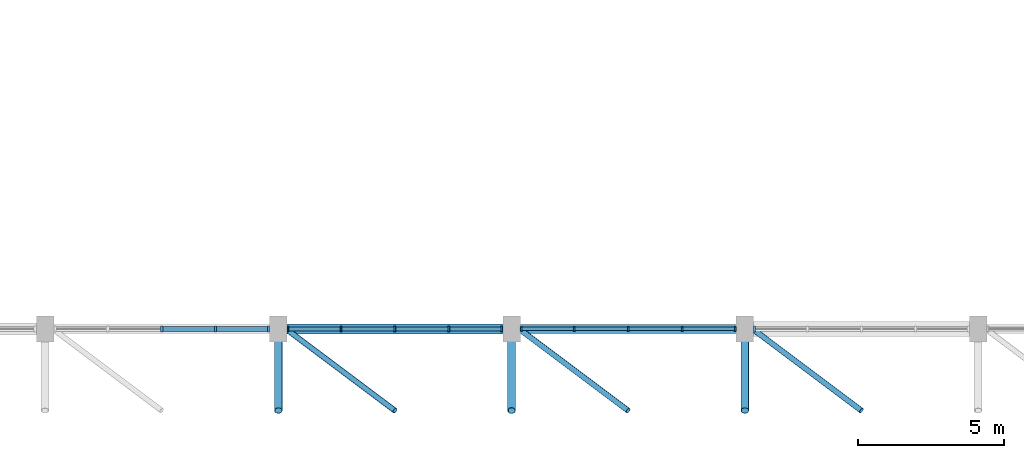
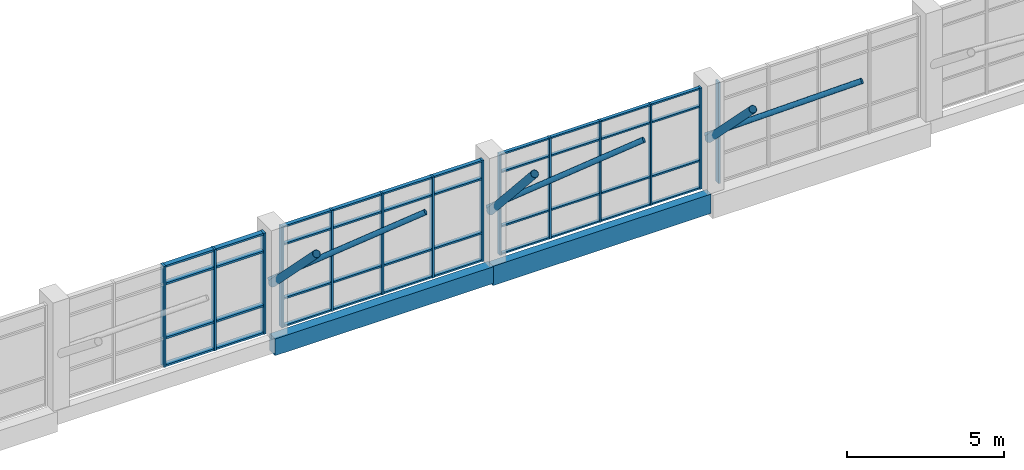
# One storey, part 40 of 84: 60 members, 2 beams, 4 elements without a shape of their own.
"""IFC4 building model written with IfcOpenShell, lengths in metres."""

from ifc_helpers import new_model, si_unit, direction, frame, origin, origin_2d, place, context, subcontext, project, spatial, rectangle, hollow_circle, extrude, material, material_profile, profile_set, type_object, element, aggregate, save


model = new_model("IFC4")

# Units and contexts
model_context = context("Model", 3, precision=1e-05, world=origin(), true_north=direction((0.0, 1.0)))
body_context = subcontext(model_context, "Body", "Model", "MODEL_VIEW")
ifc_project = project(units=[si_unit("LENGTHUNIT", "METRE"), si_unit("AREAUNIT", "SQUARE_METRE"), si_unit("VOLUMEUNIT", "CUBIC_METRE"), si_unit("PLANEANGLEUNIT", "RADIAN"), si_unit("MASSUNIT", "GRAM", prefix="KILO")], contexts=[model_context])

# Site, building, storey
site_placement = place(None, origin())
site = spatial("IfcSite", under=ifc_project, at=site_placement, CompositionType="ELEMENT")
building_placement = place(site_placement, origin())
building = spatial("IfcBuilding", under=site, at=building_placement, Name="Tenunan Teduh Sports Hall", CompositionType="ELEMENT")
storey_placement = place(building_placement, frame((0.0, 0.0, 10.800048828125)))
storey = spatial("IfcBuildingStorey", under=building, at=storey_placement, Name="L02", CompositionType="ELEMENT", Elevation=10.800048828125)

# Beams
ifc_material_1 = material(Name="Concrete C40/50", Category="concrete")
ifc_material_profile_1 = material_profile(ifc_material_1, rectangle(XDim=0.35009765625, YDim=0.64990234375, at=origin_2d()), Name="RCB 350x650")
ifc_profile_set_1 = profile_set([ifc_material_profile_1], Name="Concrete C40/50")
beam_type_1 = type_object("IfcBeamType", Name="BM-RC-350x650", PredefinedType="BEAM", material=ifc_profile_set_1)
beam_1_placement = place(storey_placement, frame((138.0, 14.0, -0.5849609375), z_axis=(1.0, 0.0, 0.0), x_axis=(0.0, 1.0, 0.0)))
element("IfcBeam", 1, at=beam_1_placement, inside=storey, type_object=beam_type_1, Name="BM-B-05-L02-1460", PredefinedType="BEAM", context=body_context, shape_type="SweptSolid", body=[
    extrude(rectangle(XDim=0.35009765625, YDim=0.64990234375, at=origin_2d()), origin(), (0.0, 0.0, 1.0), 8.0),
])
ifc_material_2 = material(Name="Concrete C40/50", Category="concrete")
ifc_material_profile_2 = material_profile(ifc_material_2, rectangle(XDim=0.300048828125, YDim=0.75, at=origin_2d()), Name="SPB 300x750")
ifc_profile_set_2 = profile_set([ifc_material_profile_2], Name="Concrete C40/50")
beam_type_2 = type_object("IfcBeamType", Name="BM-SP-300x750", PredefinedType="SPANDREL", material=ifc_profile_set_2)
beam_2_placement = place(storey_placement, frame((146.0, 14.0, -0.635009765625), z_axis=(1.0, 0.0, 0.0), x_axis=(0.0, 1.0, 0.0)))
element("IfcBeam", 2, at=beam_2_placement, inside=storey, type_object=beam_type_2, Name="BM-SP-01-L02-1461", PredefinedType="SPANDREL", context=body_context, shape_type="SweptSolid", body=[
    extrude(rectangle(XDim=0.300048828125, YDim=0.75, at=origin_2d()), origin(), (0.0, 0.0, 1.0), 8.0),
])

# Curtain wall, members
ifc_material_3 = material(Name="Anodised aluminium", Category="aluminium")
curtain_wall_type = type_object("IfcCurtainWallType", Name="CW-CLER-1", PredefinedType="NOTDEFINED", material=ifc_material_3)
curtain_wall_1_placement = place(storey_placement, origin())
curtain_wall_1 = element("IfcCurtainWall", 3, at=curtain_wall_1_placement, inside=storey, type_object=curtain_wall_type, Name="CW-CWM-150-L02-023", PredefinedType="NOTDEFINED")
ifc_material_4 = material(Name="Anodised aluminium", Category="aluminium")
ifc_material_profile_3 = material_profile(ifc_material_4, rectangle(XDim=0.06005859375, YDim=0.14990234375, at=origin_2d()), Name="CWM 60x150")
ifc_profile_set_3 = profile_set([ifc_material_profile_3], Name="Anodised aluminium")
member_type_1 = type_object("IfcMemberType", Name="CWM-150", PredefinedType="MULLION", material=ifc_profile_set_3)
member_1_placement = place(storey_placement, frame((146.330078125, 14.0, 0.0), z_axis=(0.0, 0.0, 1.0), x_axis=(1.0, 0.0, 0.0)))
member_1 = element("IfcMember", 4, at=member_1_placement, type_object=member_type_1, Name="CW-03 mullion 1", PredefinedType="MULLION", context=body_context, shape_type="SweptSolid", body=[
    extrude(rectangle(XDim=0.06005859375, YDim=0.14990234375, at=origin_2d()), origin(), (0.0, 0.0, 1.0), 3.919921875),
])
member_2_placement = place(storey_placement, frame((148.14990234375, 14.0, 0.0), z_axis=(0.0, 0.0, 1.0), x_axis=(1.0, 0.0, 0.0)))
member_2 = element("IfcMember", 5, at=member_2_placement, type_object=member_type_1, Name="CW-03 mullion 2", PredefinedType="MULLION", context=body_context, shape_type="SweptSolid", body=[
    extrude(rectangle(XDim=0.06005859375, YDim=0.14990234375, at=origin_2d()), origin(), (0.0, 0.0, 1.0), 3.919921875),
])
member_3_placement = place(storey_placement, frame((150.0, 14.0, 0.0), z_axis=(0.0, 0.0, 1.0), x_axis=(1.0, 0.0, 0.0)))
member_3 = element("IfcMember", 6, at=member_3_placement, type_object=member_type_1, Name="CW-03 mullion 3", PredefinedType="MULLION", context=body_context, shape_type="SweptSolid", body=[
    extrude(rectangle(XDim=0.06005859375, YDim=0.14990234375, at=origin_2d()), origin(), (0.0, 0.0, 1.0), 3.919921875),
])
member_4_placement = place(storey_placement, frame((151.85009765625, 14.0, 0.0), z_axis=(0.0, 0.0, 1.0), x_axis=(1.0, 0.0, 0.0)))
member_4 = element("IfcMember", 7, at=member_4_placement, type_object=member_type_1, Name="CW-03 mullion 4", PredefinedType="MULLION", context=body_context, shape_type="SweptSolid", body=[
    extrude(rectangle(XDim=0.06005859375, YDim=0.14990234375, at=origin_2d()), origin(), (0.0, 0.0, 1.0), 3.919921875),
])
member_5_placement = place(storey_placement, frame((153.669921875, 14.0, 0.0), z_axis=(0.0, 0.0, 1.0), x_axis=(1.0, 0.0, 0.0)))
member_5 = element("IfcMember", 8, at=member_5_placement, type_object=member_type_1, Name="CW-03 mullion 5", PredefinedType="MULLION", context=body_context, shape_type="SweptSolid", body=[
    extrude(rectangle(XDim=0.06005859375, YDim=0.14990234375, at=origin_2d()), origin(), (0.0, 0.0, 1.0), 3.919921875),
])

curtain_wall_2_placement = place(storey_placement, origin())
curtain_wall_2 = element("IfcCurtainWall", 9, at=curtain_wall_2_placement, inside=storey, type_object=curtain_wall_type, Name="CW-CWM-175-L02-022", PredefinedType="NOTDEFINED")
ifc_material_5 = material(Name="Anodised aluminium", Category="aluminium")
ifc_material_profile_4 = material_profile(ifc_material_5, rectangle(XDim=0.06494140625, YDim=0.175048828125, at=origin_2d()), Name="CWM 65x175")
ifc_profile_set_4 = profile_set([ifc_material_profile_4], Name="Anodised aluminium")
member_type_2 = type_object("IfcMemberType", Name="CWM-175", PredefinedType="MULLION", material=ifc_profile_set_4)
member_6_placement = place(storey_placement, frame((138.33251953125, 14.0, 0.0), z_axis=(0.0, 0.0, 1.0), x_axis=(1.0, 0.0, 0.0)))
member_6 = element("IfcMember", 10, at=member_6_placement, type_object=member_type_2, Name="CW-03 mullion 1", PredefinedType="MULLION", context=body_context, shape_type="SweptSolid", body=[
    extrude(rectangle(XDim=0.06494140625, YDim=0.175048828125, at=origin_2d()), origin(), (0.0, 0.0, 1.0), 3.919921875),
])
member_7_placement = place(storey_placement, frame((140.14990234375, 14.0, 0.0), z_axis=(0.0, 0.0, 1.0), x_axis=(1.0, 0.0, 0.0)))
member_7 = element("IfcMember", 11, at=member_7_placement, type_object=member_type_2, Name="CW-03 mullion 2", PredefinedType="MULLION", context=body_context, shape_type="SweptSolid", body=[
    extrude(rectangle(XDim=0.06494140625, YDim=0.175048828125, at=origin_2d()), origin(), (0.0, 0.0, 1.0), 3.919921875),
])
member_8_placement = place(storey_placement, frame((142.0, 14.0, 0.0), z_axis=(0.0, 0.0, 1.0), x_axis=(1.0, 0.0, 0.0)))
member_8 = element("IfcMember", 12, at=member_8_placement, type_object=member_type_2, Name="CW-03 mullion 3", PredefinedType="MULLION", context=body_context, shape_type="SweptSolid", body=[
    extrude(rectangle(XDim=0.06494140625, YDim=0.175048828125, at=origin_2d()), origin(), (0.0, 0.0, 1.0), 3.919921875),
])
member_9_placement = place(storey_placement, frame((143.85009765625, 14.0, 0.0), z_axis=(0.0, 0.0, 1.0), x_axis=(1.0, 0.0, 0.0)))
member_9 = element("IfcMember", 13, at=member_9_placement, type_object=member_type_2, Name="CW-03 mullion 4", PredefinedType="MULLION", context=body_context, shape_type="SweptSolid", body=[
    extrude(rectangle(XDim=0.06494140625, YDim=0.175048828125, at=origin_2d()), origin(), (0.0, 0.0, 1.0), 3.919921875),
])
member_10_placement = place(storey_placement, frame((145.66748046875, 14.0, 0.0), z_axis=(0.0, 0.0, 1.0), x_axis=(1.0, 0.0, 0.0)))
member_10 = element("IfcMember", 14, at=member_10_placement, type_object=member_type_2, Name="CW-03 mullion 5", PredefinedType="MULLION", context=body_context, shape_type="SweptSolid", body=[
    extrude(rectangle(XDim=0.06494140625, YDim=0.175048828125, at=origin_2d()), origin(), (0.0, 0.0, 1.0), 3.919921875),
])

# Curtain wall, member
curtain_wall_3_placement = place(storey_placement, origin())
curtain_wall_3 = element("IfcCurtainWall", 15, at=curtain_wall_3_placement, inside=storey, type_object=curtain_wall_type, Name="CW-CWM-200-L02-024", PredefinedType="NOTDEFINED")
ifc_material_6 = material(Name="Anodised aluminium", Category="aluminium")
ifc_material_profile_5 = material_profile(ifc_material_6, rectangle(XDim=0.070068359375, YDim=0.199951171875, at=origin_2d()), Name="CWM 70x200")
ifc_profile_set_5 = profile_set([ifc_material_profile_5], Name="Anodised aluminium")
member_type_3 = type_object("IfcMemberType", Name="CWM-200", PredefinedType="MULLION", material=ifc_profile_set_5)
member_11_placement = place(storey_placement, frame((154.3349609375, 14.0, 0.0), z_axis=(0.0, 0.0, 1.0), x_axis=(1.0, 0.0, 0.0)))
member_11 = element("IfcMember", 16, at=member_11_placement, type_object=member_type_3, Name="CW-03 mullion 1", PredefinedType="MULLION", context=body_context, shape_type="SweptSolid", body=[
    extrude(rectangle(XDim=0.070068359375, YDim=0.199951171875, at=origin_2d()), origin(), (0.0, 0.0, 1.0), 3.919921875),
])
aggregate(curtain_wall_3, [member_11])

# Curtain wall, members
curtain_wall_4_placement = place(storey_placement, origin())
curtain_wall_4 = element("IfcCurtainWall", 17, at=curtain_wall_4_placement, inside=storey, type_object=curtain_wall_type, Name="CW-CWM-220-L02-021", PredefinedType="NOTDEFINED")
ifc_material_7 = material(Name="Anodised aluminium", Category="aluminium")
ifc_material_profile_6 = material_profile(ifc_material_7, rectangle(XDim=0.074951171875, YDim=0.219970703125, at=origin_2d()), Name="CWM 75x220")
ifc_profile_set_6 = profile_set([ifc_material_profile_6], Name="Anodised aluminium")
member_type_4 = type_object("IfcMemberType", Name="CWM-220", PredefinedType="MULLION", material=ifc_profile_set_6)
member_12_placement = place(storey_placement, frame((134.0, 14.0, 0.0), z_axis=(0.0, 0.0, 1.0), x_axis=(1.0, 0.0, 0.0)))
member_12 = element("IfcMember", 18, at=member_12_placement, type_object=member_type_4, Name="CW-03 mullion 3", PredefinedType="MULLION", context=body_context, shape_type="SweptSolid", body=[
    extrude(rectangle(XDim=0.074951171875, YDim=0.219970703125, at=origin_2d()), origin(), (0.0, 0.0, 1.0), 3.919921875),
])
member_13_placement = place(storey_placement, frame((135.85009765625, 14.0, 0.0), z_axis=(0.0, 0.0, 1.0), x_axis=(1.0, 0.0, 0.0)))
member_13 = element("IfcMember", 19, at=member_13_placement, type_object=member_type_4, Name="CW-03 mullion 4", PredefinedType="MULLION", context=body_context, shape_type="SweptSolid", body=[
    extrude(rectangle(XDim=0.074951171875, YDim=0.219970703125, at=origin_2d()), origin(), (0.0, 0.0, 1.0), 3.919921875),
])
member_14_placement = place(storey_placement, frame((137.66259765625, 14.0, 0.0), z_axis=(0.0, 0.0, 1.0), x_axis=(1.0, 0.0, 0.0)))
member_14 = element("IfcMember", 20, at=member_14_placement, type_object=member_type_4, Name="CW-03 mullion 5", PredefinedType="MULLION", context=body_context, shape_type="SweptSolid", body=[
    extrude(rectangle(XDim=0.074951171875, YDim=0.219970703125, at=origin_2d()), origin(), (0.0, 0.0, 1.0), 3.919921875),
])

# Member
ifc_material_8 = material(Name="Anodised aluminium", Category="aluminium")
ifc_material_profile_7 = material_profile(ifc_material_8, rectangle(XDim=0.06005859375, YDim=0.1201171875, at=origin_2d()), Name="CWT 60x120")
ifc_profile_set_7 = profile_set([ifc_material_profile_7], Name="Anodised aluminium")
member_type_5 = type_object("IfcMemberType", Name="CWT-125", PredefinedType="USERDEFINED", material=ifc_profile_set_7)
member_15_placement = place(storey_placement, frame((146.360107421875, 14.0, 0.030029296875), z_axis=(1.0, 0.0, 0.0), x_axis=(0.0, 0.0, 1.0)))
member_15 = element("IfcMember", 21, at=member_15_placement, type_object=member_type_5, Name="CW-03 transom 1.1", ObjectType="TRANSOM", PredefinedType="USERDEFINED", context=body_context, shape_type="SweptSolid", body=[
    extrude(rectangle(XDim=0.06005859375, YDim=0.1201171875, at=origin_2d()), origin(), (0.0, 0.0, 1.0), 1.760009765625),
])

member_16_placement = place(storey_placement, frame((146.360107421875, 14.0, 1.099853515625), z_axis=(1.0, 0.0, 0.0), x_axis=(0.0, 0.0, 1.0)))
member_16 = element("IfcMember", 22, at=member_16_placement, type_object=member_type_5, Name="CW-03 transom 1.2", ObjectType="TRANSOM", PredefinedType="USERDEFINED", context=body_context, shape_type="SweptSolid", body=[
    extrude(rectangle(XDim=0.06005859375, YDim=0.1201171875, at=origin_2d()), origin(), (0.0, 0.0, 1.0), 1.760009765625),
])

member_17_placement = place(storey_placement, frame((146.360107421875, 14.0, 3.199951171875), z_axis=(1.0, 0.0, 0.0), x_axis=(0.0, 0.0, 1.0)))
member_17 = element("IfcMember", 23, at=member_17_placement, type_object=member_type_5, Name="CW-03 transom 1.3", ObjectType="TRANSOM", PredefinedType="USERDEFINED", context=body_context, shape_type="SweptSolid", body=[
    extrude(rectangle(XDim=0.06005859375, YDim=0.1201171875, at=origin_2d()), origin(), (0.0, 0.0, 1.0), 1.760009765625),
])

member_18_placement = place(storey_placement, frame((146.360107421875, 14.0, 3.889892578125), z_axis=(1.0, 0.0, 0.0), x_axis=(0.0, 0.0, 1.0)))
member_18 = element("IfcMember", 24, at=member_18_placement, type_object=member_type_5, Name="CW-03 transom 1.4", ObjectType="TRANSOM", PredefinedType="USERDEFINED", context=body_context, shape_type="SweptSolid", body=[
    extrude(rectangle(XDim=0.06005859375, YDim=0.1201171875, at=origin_2d()), origin(), (0.0, 0.0, 1.0), 1.760009765625),
])

member_19_placement = place(storey_placement, frame((148.179931640625, 14.0, 0.030029296875), z_axis=(1.0, 0.0, 0.0), x_axis=(0.0, 0.0, 1.0)))
member_19 = element("IfcMember", 25, at=member_19_placement, type_object=member_type_5, Name="CW-03 transom 2.1", ObjectType="TRANSOM", PredefinedType="USERDEFINED", context=body_context, shape_type="SweptSolid", body=[
    extrude(rectangle(XDim=0.06005859375, YDim=0.1201171875, at=origin_2d()), origin(), (0.0, 0.0, 1.0), 1.7900390625),
])

member_20_placement = place(storey_placement, frame((148.179931640625, 14.0, 1.099853515625), z_axis=(1.0, 0.0, 0.0), x_axis=(0.0, 0.0, 1.0)))
member_20 = element("IfcMember", 26, at=member_20_placement, type_object=member_type_5, Name="CW-03 transom 2.2", ObjectType="TRANSOM", PredefinedType="USERDEFINED", context=body_context, shape_type="SweptSolid", body=[
    extrude(rectangle(XDim=0.06005859375, YDim=0.1201171875, at=origin_2d()), origin(), (0.0, 0.0, 1.0), 1.7900390625),
])

member_21_placement = place(storey_placement, frame((148.179931640625, 14.0, 3.199951171875), z_axis=(1.0, 0.0, 0.0), x_axis=(0.0, 0.0, 1.0)))
member_21 = element("IfcMember", 27, at=member_21_placement, type_object=member_type_5, Name="CW-03 transom 2.3", ObjectType="TRANSOM", PredefinedType="USERDEFINED", context=body_context, shape_type="SweptSolid", body=[
    extrude(rectangle(XDim=0.06005859375, YDim=0.1201171875, at=origin_2d()), origin(), (0.0, 0.0, 1.0), 1.7900390625),
])

member_22_placement = place(storey_placement, frame((148.179931640625, 14.0, 3.889892578125), z_axis=(1.0, 0.0, 0.0), x_axis=(0.0, 0.0, 1.0)))
member_22 = element("IfcMember", 28, at=member_22_placement, type_object=member_type_5, Name="CW-03 transom 2.4", ObjectType="TRANSOM", PredefinedType="USERDEFINED", context=body_context, shape_type="SweptSolid", body=[
    extrude(rectangle(XDim=0.06005859375, YDim=0.1201171875, at=origin_2d()), origin(), (0.0, 0.0, 1.0), 1.7900390625),
])

member_23_placement = place(storey_placement, frame((150.030029296875, 14.0, 0.030029296875), z_axis=(1.0, 0.0, 0.0), x_axis=(0.0, 0.0, 1.0)))
member_23 = element("IfcMember", 29, at=member_23_placement, type_object=member_type_5, Name="CW-03 transom 3.1", ObjectType="TRANSOM", PredefinedType="USERDEFINED", context=body_context, shape_type="SweptSolid", body=[
    extrude(rectangle(XDim=0.06005859375, YDim=0.1201171875, at=origin_2d()), origin(), (0.0, 0.0, 1.0), 1.7900390625),
])

member_24_placement = place(storey_placement, frame((150.030029296875, 14.0, 1.099853515625), z_axis=(1.0, 0.0, 0.0), x_axis=(0.0, 0.0, 1.0)))
member_24 = element("IfcMember", 30, at=member_24_placement, type_object=member_type_5, Name="CW-03 transom 3.2", ObjectType="TRANSOM", PredefinedType="USERDEFINED", context=body_context, shape_type="SweptSolid", body=[
    extrude(rectangle(XDim=0.06005859375, YDim=0.1201171875, at=origin_2d()), origin(), (0.0, 0.0, 1.0), 1.7900390625),
])

member_25_placement = place(storey_placement, frame((150.030029296875, 14.0, 3.199951171875), z_axis=(1.0, 0.0, 0.0), x_axis=(0.0, 0.0, 1.0)))
member_25 = element("IfcMember", 31, at=member_25_placement, type_object=member_type_5, Name="CW-03 transom 3.3", ObjectType="TRANSOM", PredefinedType="USERDEFINED", context=body_context, shape_type="SweptSolid", body=[
    extrude(rectangle(XDim=0.06005859375, YDim=0.1201171875, at=origin_2d()), origin(), (0.0, 0.0, 1.0), 1.7900390625),
])

member_26_placement = place(storey_placement, frame((150.030029296875, 14.0, 3.889892578125), z_axis=(1.0, 0.0, 0.0), x_axis=(0.0, 0.0, 1.0)))
member_26 = element("IfcMember", 32, at=member_26_placement, type_object=member_type_5, Name="CW-03 transom 3.4", ObjectType="TRANSOM", PredefinedType="USERDEFINED", context=body_context, shape_type="SweptSolid", body=[
    extrude(rectangle(XDim=0.06005859375, YDim=0.1201171875, at=origin_2d()), origin(), (0.0, 0.0, 1.0), 1.7900390625),
])

member_27_placement = place(storey_placement, frame((151.8798828125, 14.0, 0.030029296875), z_axis=(1.0, 0.0, 0.0), x_axis=(0.0, 0.0, 1.0)))
member_27 = element("IfcMember", 33, at=member_27_placement, type_object=member_type_5, Name="CW-03 transom 4.1", ObjectType="TRANSOM", PredefinedType="USERDEFINED", context=body_context, shape_type="SweptSolid", body=[
    extrude(rectangle(XDim=0.06005859375, YDim=0.1201171875, at=origin_2d()), origin(), (0.0, 0.0, 1.0), 1.760009765625),
])

member_28_placement = place(storey_placement, frame((151.8798828125, 14.0, 1.099853515625), z_axis=(1.0, 0.0, 0.0), x_axis=(0.0, 0.0, 1.0)))
member_28 = element("IfcMember", 34, at=member_28_placement, type_object=member_type_5, Name="CW-03 transom 4.2", ObjectType="TRANSOM", PredefinedType="USERDEFINED", context=body_context, shape_type="SweptSolid", body=[
    extrude(rectangle(XDim=0.06005859375, YDim=0.1201171875, at=origin_2d()), origin(), (0.0, 0.0, 1.0), 1.760009765625),
])

member_29_placement = place(storey_placement, frame((151.8798828125, 14.0, 3.199951171875), z_axis=(1.0, 0.0, 0.0), x_axis=(0.0, 0.0, 1.0)))
member_29 = element("IfcMember", 35, at=member_29_placement, type_object=member_type_5, Name="CW-03 transom 4.3", ObjectType="TRANSOM", PredefinedType="USERDEFINED", context=body_context, shape_type="SweptSolid", body=[
    extrude(rectangle(XDim=0.06005859375, YDim=0.1201171875, at=origin_2d()), origin(), (0.0, 0.0, 1.0), 1.760009765625),
])

member_30_placement = place(storey_placement, frame((151.8798828125, 14.0, 3.889892578125), z_axis=(1.0, 0.0, 0.0), x_axis=(0.0, 0.0, 1.0)))
member_30 = element("IfcMember", 36, at=member_30_placement, type_object=member_type_5, Name="CW-03 transom 4.4", ObjectType="TRANSOM", PredefinedType="USERDEFINED", context=body_context, shape_type="SweptSolid", body=[
    extrude(rectangle(XDim=0.06005859375, YDim=0.1201171875, at=origin_2d()), origin(), (0.0, 0.0, 1.0), 1.760009765625),
])

aggregate(curtain_wall_1, [member_1, member_2, member_3, member_4, member_5, member_15, member_16, member_17, member_18, member_19, member_20, member_21, member_22, member_23, member_24, member_25, member_26, member_27, member_28, member_29, member_30])

ifc_material_9 = material(Name="Anodised aluminium", Category="aluminium")
ifc_material_profile_8 = material_profile(ifc_material_9, rectangle(XDim=0.06494140625, YDim=0.139892578125, at=origin_2d()), Name="CWT 65x140")
ifc_profile_set_8 = profile_set([ifc_material_profile_8], Name="Anodised aluminium")
member_type_6 = type_object("IfcMemberType", Name="CWT-150", PredefinedType="USERDEFINED", material=ifc_profile_set_8)
member_31_placement = place(storey_placement, frame((138.364990234375, 14.0, 0.032470703125), z_axis=(1.0, 0.0, 0.0), x_axis=(0.0, 0.0, 1.0)))
member_31 = element("IfcMember", 37, at=member_31_placement, type_object=member_type_6, Name="CW-03 transom 1.1", ObjectType="TRANSOM", PredefinedType="USERDEFINED", context=body_context, shape_type="SweptSolid", body=[
    extrude(rectangle(XDim=0.06494140625, YDim=0.139892578125, at=origin_2d()), origin(), (0.0, 0.0, 1.0), 1.75244140625),
])

member_32_placement = place(storey_placement, frame((138.364990234375, 14.0, 1.099853515625), z_axis=(1.0, 0.0, 0.0), x_axis=(0.0, 0.0, 1.0)))
member_32 = element("IfcMember", 38, at=member_32_placement, type_object=member_type_6, Name="CW-03 transom 1.2", ObjectType="TRANSOM", PredefinedType="USERDEFINED", context=body_context, shape_type="SweptSolid", body=[
    extrude(rectangle(XDim=0.06494140625, YDim=0.139892578125, at=origin_2d()), origin(), (0.0, 0.0, 1.0), 1.75244140625),
])

member_33_placement = place(storey_placement, frame((138.364990234375, 14.0, 3.199951171875), z_axis=(1.0, 0.0, 0.0), x_axis=(0.0, 0.0, 1.0)))
member_33 = element("IfcMember", 39, at=member_33_placement, type_object=member_type_6, Name="CW-03 transom 1.3", ObjectType="TRANSOM", PredefinedType="USERDEFINED", context=body_context, shape_type="SweptSolid", body=[
    extrude(rectangle(XDim=0.06494140625, YDim=0.139892578125, at=origin_2d()), origin(), (0.0, 0.0, 1.0), 1.75244140625),
])

member_34_placement = place(storey_placement, frame((138.364990234375, 14.0, 3.887451171875), z_axis=(1.0, 0.0, 0.0), x_axis=(0.0, 0.0, 1.0)))
member_34 = element("IfcMember", 40, at=member_34_placement, type_object=member_type_6, Name="CW-03 transom 1.4", ObjectType="TRANSOM", PredefinedType="USERDEFINED", context=body_context, shape_type="SweptSolid", body=[
    extrude(rectangle(XDim=0.06494140625, YDim=0.139892578125, at=origin_2d()), origin(), (0.0, 0.0, 1.0), 1.75244140625),
])

member_35_placement = place(storey_placement, frame((140.1826171875, 14.0, 0.032470703125), z_axis=(1.0, 0.0, 0.0), x_axis=(0.0, 0.0, 1.0)))
member_35 = element("IfcMember", 41, at=member_35_placement, type_object=member_type_6, Name="CW-03 transom 2.1", ObjectType="TRANSOM", PredefinedType="USERDEFINED", context=body_context, shape_type="SweptSolid", body=[
    extrude(rectangle(XDim=0.06494140625, YDim=0.139892578125, at=origin_2d()), origin(), (0.0, 0.0, 1.0), 1.784912109375),
])

member_36_placement = place(storey_placement, frame((140.1826171875, 14.0, 1.099853515625), z_axis=(1.0, 0.0, 0.0), x_axis=(0.0, 0.0, 1.0)))
member_36 = element("IfcMember", 42, at=member_36_placement, type_object=member_type_6, Name="CW-03 transom 2.2", ObjectType="TRANSOM", PredefinedType="USERDEFINED", context=body_context, shape_type="SweptSolid", body=[
    extrude(rectangle(XDim=0.06494140625, YDim=0.139892578125, at=origin_2d()), origin(), (0.0, 0.0, 1.0), 1.784912109375),
])

member_37_placement = place(storey_placement, frame((140.1826171875, 14.0, 3.199951171875), z_axis=(1.0, 0.0, 0.0), x_axis=(0.0, 0.0, 1.0)))
member_37 = element("IfcMember", 43, at=member_37_placement, type_object=member_type_6, Name="CW-03 transom 2.3", ObjectType="TRANSOM", PredefinedType="USERDEFINED", context=body_context, shape_type="SweptSolid", body=[
    extrude(rectangle(XDim=0.06494140625, YDim=0.139892578125, at=origin_2d()), origin(), (0.0, 0.0, 1.0), 1.784912109375),
])

member_38_placement = place(storey_placement, frame((140.1826171875, 14.0, 3.887451171875), z_axis=(1.0, 0.0, 0.0), x_axis=(0.0, 0.0, 1.0)))
member_38 = element("IfcMember", 44, at=member_38_placement, type_object=member_type_6, Name="CW-03 transom 2.4", ObjectType="TRANSOM", PredefinedType="USERDEFINED", context=body_context, shape_type="SweptSolid", body=[
    extrude(rectangle(XDim=0.06494140625, YDim=0.139892578125, at=origin_2d()), origin(), (0.0, 0.0, 1.0), 1.784912109375),
])

member_39_placement = place(storey_placement, frame((142.032470703125, 14.0, 0.032470703125), z_axis=(1.0, 0.0, 0.0), x_axis=(0.0, 0.0, 1.0)))
member_39 = element("IfcMember", 45, at=member_39_placement, type_object=member_type_6, Name="CW-03 transom 3.1", ObjectType="TRANSOM", PredefinedType="USERDEFINED", context=body_context, shape_type="SweptSolid", body=[
    extrude(rectangle(XDim=0.06494140625, YDim=0.139892578125, at=origin_2d()), origin(), (0.0, 0.0, 1.0), 1.784912109375),
])

member_40_placement = place(storey_placement, frame((142.032470703125, 14.0, 1.099853515625), z_axis=(1.0, 0.0, 0.0), x_axis=(0.0, 0.0, 1.0)))
member_40 = element("IfcMember", 46, at=member_40_placement, type_object=member_type_6, Name="CW-03 transom 3.2", ObjectType="TRANSOM", PredefinedType="USERDEFINED", context=body_context, shape_type="SweptSolid", body=[
    extrude(rectangle(XDim=0.06494140625, YDim=0.139892578125, at=origin_2d()), origin(), (0.0, 0.0, 1.0), 1.784912109375),
])

member_41_placement = place(storey_placement, frame((142.032470703125, 14.0, 3.199951171875), z_axis=(1.0, 0.0, 0.0), x_axis=(0.0, 0.0, 1.0)))
member_41 = element("IfcMember", 47, at=member_41_placement, type_object=member_type_6, Name="CW-03 transom 3.3", ObjectType="TRANSOM", PredefinedType="USERDEFINED", context=body_context, shape_type="SweptSolid", body=[
    extrude(rectangle(XDim=0.06494140625, YDim=0.139892578125, at=origin_2d()), origin(), (0.0, 0.0, 1.0), 1.784912109375),
])

member_42_placement = place(storey_placement, frame((142.032470703125, 14.0, 3.887451171875), z_axis=(1.0, 0.0, 0.0), x_axis=(0.0, 0.0, 1.0)))
member_42 = element("IfcMember", 48, at=member_42_placement, type_object=member_type_6, Name="CW-03 transom 3.4", ObjectType="TRANSOM", PredefinedType="USERDEFINED", context=body_context, shape_type="SweptSolid", body=[
    extrude(rectangle(XDim=0.06494140625, YDim=0.139892578125, at=origin_2d()), origin(), (0.0, 0.0, 1.0), 1.784912109375),
])

member_43_placement = place(storey_placement, frame((143.882568359375, 14.0, 0.032470703125), z_axis=(1.0, 0.0, 0.0), x_axis=(0.0, 0.0, 1.0)))
member_43 = element("IfcMember", 49, at=member_43_placement, type_object=member_type_6, Name="CW-03 transom 4.1", ObjectType="TRANSOM", PredefinedType="USERDEFINED", context=body_context, shape_type="SweptSolid", body=[
    extrude(rectangle(XDim=0.06494140625, YDim=0.139892578125, at=origin_2d()), origin(), (0.0, 0.0, 1.0), 1.75244140625),
])

member_44_placement = place(storey_placement, frame((143.882568359375, 14.0, 1.099853515625), z_axis=(1.0, 0.0, 0.0), x_axis=(0.0, 0.0, 1.0)))
member_44 = element("IfcMember", 50, at=member_44_placement, type_object=member_type_6, Name="CW-03 transom 4.2", ObjectType="TRANSOM", PredefinedType="USERDEFINED", context=body_context, shape_type="SweptSolid", body=[
    extrude(rectangle(XDim=0.06494140625, YDim=0.139892578125, at=origin_2d()), origin(), (0.0, 0.0, 1.0), 1.75244140625),
])

member_45_placement = place(storey_placement, frame((143.882568359375, 14.0, 3.199951171875), z_axis=(1.0, 0.0, 0.0), x_axis=(0.0, 0.0, 1.0)))
member_45 = element("IfcMember", 51, at=member_45_placement, type_object=member_type_6, Name="CW-03 transom 4.3", ObjectType="TRANSOM", PredefinedType="USERDEFINED", context=body_context, shape_type="SweptSolid", body=[
    extrude(rectangle(XDim=0.06494140625, YDim=0.139892578125, at=origin_2d()), origin(), (0.0, 0.0, 1.0), 1.75244140625),
])

member_46_placement = place(storey_placement, frame((143.882568359375, 14.0, 3.887451171875), z_axis=(1.0, 0.0, 0.0), x_axis=(0.0, 0.0, 1.0)))
member_46 = element("IfcMember", 52, at=member_46_placement, type_object=member_type_6, Name="CW-03 transom 4.4", ObjectType="TRANSOM", PredefinedType="USERDEFINED", context=body_context, shape_type="SweptSolid", body=[
    extrude(rectangle(XDim=0.06494140625, YDim=0.139892578125, at=origin_2d()), origin(), (0.0, 0.0, 1.0), 1.75244140625),
])

aggregate(curtain_wall_2, [member_6, member_7, member_8, member_9, member_10, member_31, member_32, member_33, member_34, member_35, member_36, member_37, member_38, member_39, member_40, member_41, member_42, member_43, member_44, member_45, member_46])

ifc_material_10 = material(Name="Anodised aluminium", Category="aluminium")
ifc_material_profile_9 = material_profile(ifc_material_10, rectangle(XDim=0.074951171875, YDim=0.179931640625, at=origin_2d()), Name="CWT 75x180")
ifc_profile_set_9 = profile_set([ifc_material_profile_9], Name="Anodised aluminium")
member_type_7 = type_object("IfcMemberType", Name="CWT-180", PredefinedType="USERDEFINED", material=ifc_profile_set_9)
member_47_placement = place(storey_placement, frame((134.03759765625, 14.0, 0.037353515625), z_axis=(1.0, 0.0, 0.0), x_axis=(0.0, 0.0, 1.0)))
member_47 = element("IfcMember", 53, at=member_47_placement, type_object=member_type_7, Name="CW-03 transom 3.1", ObjectType="TRANSOM", PredefinedType="USERDEFINED", context=body_context, shape_type="SweptSolid", body=[
    extrude(rectangle(XDim=0.074951171875, YDim=0.179931640625, at=origin_2d()), origin(), (0.0, 0.0, 1.0), 1.77490234375),
])

member_48_placement = place(storey_placement, frame((134.03759765625, 14.0, 1.099853515625), z_axis=(1.0, 0.0, 0.0), x_axis=(0.0, 0.0, 1.0)))
member_48 = element("IfcMember", 54, at=member_48_placement, type_object=member_type_7, Name="CW-03 transom 3.2", ObjectType="TRANSOM", PredefinedType="USERDEFINED", context=body_context, shape_type="SweptSolid", body=[
    extrude(rectangle(XDim=0.074951171875, YDim=0.179931640625, at=origin_2d()), origin(), (0.0, 0.0, 1.0), 1.77490234375),
])

member_49_placement = place(storey_placement, frame((134.03759765625, 14.0, 3.199951171875), z_axis=(1.0, 0.0, 0.0), x_axis=(0.0, 0.0, 1.0)))
member_49 = element("IfcMember", 55, at=member_49_placement, type_object=member_type_7, Name="CW-03 transom 3.3", ObjectType="TRANSOM", PredefinedType="USERDEFINED", context=body_context, shape_type="SweptSolid", body=[
    extrude(rectangle(XDim=0.074951171875, YDim=0.179931640625, at=origin_2d()), origin(), (0.0, 0.0, 1.0), 1.77490234375),
])

member_50_placement = place(storey_placement, frame((134.03759765625, 14.0, 3.882568359375), z_axis=(1.0, 0.0, 0.0), x_axis=(0.0, 0.0, 1.0)))
member_50 = element("IfcMember", 56, at=member_50_placement, type_object=member_type_7, Name="CW-03 transom 3.4", ObjectType="TRANSOM", PredefinedType="USERDEFINED", context=body_context, shape_type="SweptSolid", body=[
    extrude(rectangle(XDim=0.074951171875, YDim=0.179931640625, at=origin_2d()), origin(), (0.0, 0.0, 1.0), 1.77490234375),
])

member_51_placement = place(storey_placement, frame((135.887451171875, 14.0, 0.037353515625), z_axis=(1.0, 0.0, 0.0), x_axis=(0.0, 0.0, 1.0)))
member_51 = element("IfcMember", 57, at=member_51_placement, type_object=member_type_7, Name="CW-03 transom 4.1", ObjectType="TRANSOM", PredefinedType="USERDEFINED", context=body_context, shape_type="SweptSolid", body=[
    extrude(rectangle(XDim=0.074951171875, YDim=0.179931640625, at=origin_2d()), origin(), (0.0, 0.0, 1.0), 1.737548828125),
])

member_52_placement = place(storey_placement, frame((135.887451171875, 14.0, 1.099853515625), z_axis=(1.0, 0.0, 0.0), x_axis=(0.0, 0.0, 1.0)))
member_52 = element("IfcMember", 58, at=member_52_placement, type_object=member_type_7, Name="CW-03 transom 4.2", ObjectType="TRANSOM", PredefinedType="USERDEFINED", context=body_context, shape_type="SweptSolid", body=[
    extrude(rectangle(XDim=0.074951171875, YDim=0.179931640625, at=origin_2d()), origin(), (0.0, 0.0, 1.0), 1.737548828125),
])

member_53_placement = place(storey_placement, frame((135.887451171875, 14.0, 3.199951171875), z_axis=(1.0, 0.0, 0.0), x_axis=(0.0, 0.0, 1.0)))
member_53 = element("IfcMember", 59, at=member_53_placement, type_object=member_type_7, Name="CW-03 transom 4.3", ObjectType="TRANSOM", PredefinedType="USERDEFINED", context=body_context, shape_type="SweptSolid", body=[
    extrude(rectangle(XDim=0.074951171875, YDim=0.179931640625, at=origin_2d()), origin(), (0.0, 0.0, 1.0), 1.737548828125),
])

member_54_placement = place(storey_placement, frame((135.887451171875, 14.0, 3.882568359375), z_axis=(1.0, 0.0, 0.0), x_axis=(0.0, 0.0, 1.0)))
member_54 = element("IfcMember", 60, at=member_54_placement, type_object=member_type_7, Name="CW-03 transom 4.4", ObjectType="TRANSOM", PredefinedType="USERDEFINED", context=body_context, shape_type="SweptSolid", body=[
    extrude(rectangle(XDim=0.074951171875, YDim=0.179931640625, at=origin_2d()), origin(), (0.0, 0.0, 1.0), 1.737548828125),
])

aggregate(curtain_wall_4, [member_12, member_13, member_14, member_47, member_48, member_49, member_50, member_51, member_52, member_53, member_54])

# Members
ifc_material_11 = material(Name="Steel S355", Category="steel")
ifc_material_profile_10 = material_profile(ifc_material_11, hollow_circle(Radius=0.096923828125, WallThickness=0.008056640625, at=origin_2d()), Name="CHS 193.7x8.0")
ifc_profile_set_10 = profile_set([ifc_material_profile_10], Name="Steel S355")
member_type_8 = type_object("IfcMemberType", Name="MEM-BR-CHS194", PredefinedType="BRACE", material=ifc_profile_set_10)
for number, where, z_axis, x_axis, name in (
    (61, (138.0, 14.199951171875, 1.800048828125), (0.682648536426, -0.511986402319, 0.521402818899), (0.6, 0.8, 0.0), "MEM-GD-03-L02-0038"),
    (62, (146.0, 14.199951171875, 1.800048828125), (0.682648536426, -0.511986402319, 0.521402818899), (0.6, 0.8, 0.0), "MEM-GD-03-L02-0052"),
):
    element("IfcMember", number, at=place(storey_placement, frame(where, z_axis=z_axis, x_axis=x_axis)), inside=storey, type_object=member_type_8, Name=name, PredefinedType="BRACE", context=body_context, shape_type="SweptSolid", body=[
        extrude(hollow_circle(Radius=0.096923828125, WallThickness=0.008056640625, at=origin_2d()), origin(), (0.0, 0.0, 1.0), 5.859619140625),
    ])
member_55_placement = place(storey_placement, frame((154.0, 14.199951171875, 1.800048828125), z_axis=(0.713495605127, -0.535121703845, 0.452292807303), x_axis=(0.6, 0.8, 0.0)))
element("IfcMember", 63, at=member_55_placement, inside=storey, type_object=member_type_8, Name="MEM-GD-03-L02-0066", PredefinedType="BRACE", context=body_context, shape_type="SweptSolid", body=[
    extrude(hollow_circle(Radius=0.096923828125, WallThickness=0.008056640625, at=origin_2d()), origin(), (0.0, 0.0, 1.0), 5.606201171875),
])
ifc_material_12 = material(Name="Steel S355", Category="steel")
ifc_material_profile_11 = material_profile(ifc_material_12, hollow_circle(Radius=0.136474609375, WallThickness=0.010009765625, at=origin_2d()), Name="CHS 273.0x10.0")
ifc_profile_set_11 = profile_set([ifc_material_profile_11], Name="Steel S355")
member_type_9 = type_object("IfcMemberType", Name="MEM-ST-CHS273", PredefinedType="STRUT", material=ifc_profile_set_11)
member_56_placement = place(storey_placement, frame((138.0, 14.0, 1.800048828125), z_axis=(0.0, -0.703018761206, 0.711171302425), x_axis=(1.0, 0.0, 0.0)))
element("IfcMember", 64, at=member_56_placement, inside=storey, type_object=member_type_9, Name="MEM-VS-04-L02-0031", PredefinedType="STRUT", context=body_context, shape_type="SweptSolid", body=[
    extrude(hollow_circle(Radius=0.136474609375, WallThickness=0.010009765625, at=origin_2d()), origin(), (0.0, 0.0, 1.0), 3.98291015625),
])
member_57_placement = place(storey_placement, frame((146.0, 14.0, 1.800048828125), z_axis=(0.0, -0.666341293064, 0.745646887714), x_axis=(1.0, 0.0, 0.0)))
element("IfcMember", 65, at=member_57_placement, inside=storey, type_object=member_type_9, Name="MEM-VS-04-L02-0045", PredefinedType="STRUT", context=body_context, shape_type="SweptSolid", body=[
    extrude(hollow_circle(Radius=0.136474609375, WallThickness=0.010009765625, at=origin_2d()), origin(), (0.0, 0.0, 1.0), 4.2021484375),
])
member_58_placement = place(storey_placement, frame((154.0, 14.0, 1.800048828125), z_axis=(0.0, -0.703018761206, 0.711171302425), x_axis=(1.0, 0.0, 0.0)))
element("IfcMember", 66, at=member_58_placement, inside=storey, type_object=member_type_9, Name="MEM-VS-04-L02-0059", PredefinedType="STRUT", context=body_context, shape_type="SweptSolid", body=[
    extrude(hollow_circle(Radius=0.136474609375, WallThickness=0.010009765625, at=origin_2d()), origin(), (0.0, 0.0, 1.0), 3.98291015625),
])

save(model, "model.ifc")
